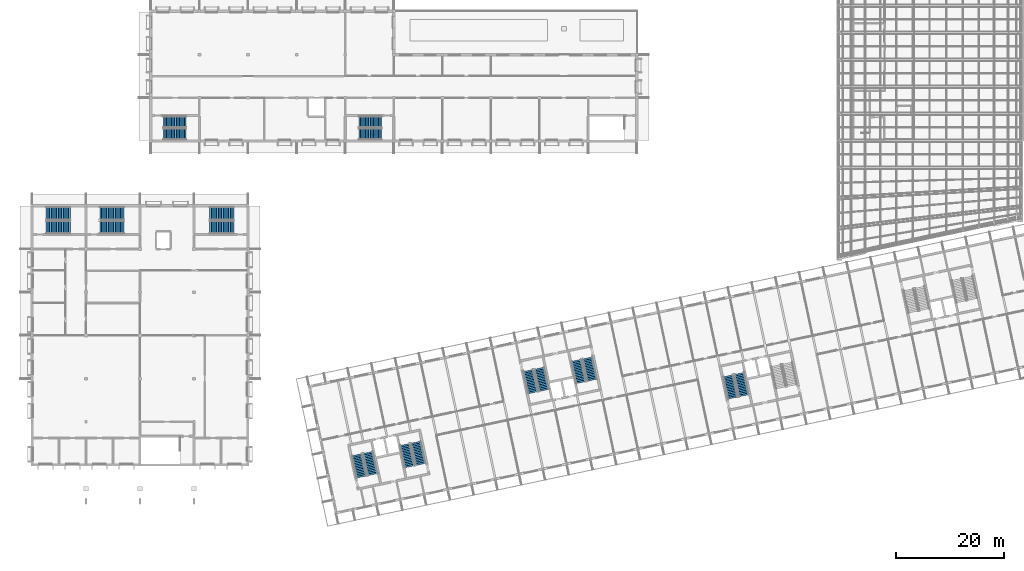
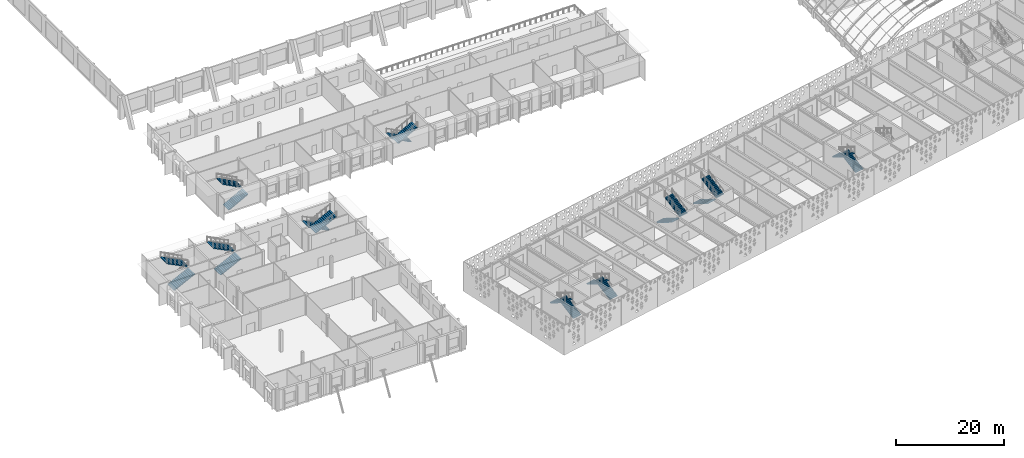
# One storey, part 150 of 182: 20 stair flights, 10 elements without a shape of their own.
"""IFC4 building model written with IfcOpenShell, lengths in metres."""

import ifcopenshell
import ifcopenshell.guid

model = None  # the IFC model being written
_history = None  # IfcOwnerHistory: only IFC2X3 demands one
_inside = {}  # id of a spatial element -> (the spatial element, [elements in it])
_under = {}  # id of a project, library or spatial element -> (it, [spatial elements below it])
_declared = {}  # id of a project -> (the project, [libraries it declares])
_typed = {}  # id of a type object -> (the type object, [elements of that type])
_made_of = {}  # id of a material, layer set ... -> (it, [elements and type objects made of it])


def new_model(schema):
    """Start an empty IFC model of exactly this schema.

    Asked for "IFC4X3", IfcOpenShell would pick the latest addendum, in which some entities
    have other attributes; the version numbers below select the first issue.
    IFC2X3 requires an IfcOwnerHistory on every rooted entity: one is made here for all.
    """
    global model, _history
    if schema == "IFC4X3":
        model = ifcopenshell.file(schema_version=(4, 3, 0, 0))
    else:
        model = ifcopenshell.file(schema=schema)
    _inside.clear()
    _under.clear()
    _declared.clear()
    _typed.clear()
    _made_of.clear()
    _history = None
    if model.schema == "IFC2X3":
        org = make("IfcOrganization", Name="unknown")
        user = make(
            "IfcPersonAndOrganization",
            ThePerson=make("IfcPerson", FamilyName="unknown"),
            TheOrganization=org,
        )
        app = make(
            "IfcApplication",
            ApplicationDeveloper=org,
            Version="unknown",
            ApplicationFullName="unknown",
            ApplicationIdentifier="unknown",
        )
        _history = make(
            "IfcOwnerHistory",
            OwningUser=user,
            OwningApplication=app,
            ChangeAction="ADDED",
            CreationDate=0,
        )
    return model


def make(cls, **values):
    """One entity of the class cls with the attributes given. An attribute that is None is left unset."""
    return model.create_entity(
        cls, **{name: value for name, value in values.items() if value is not None}
    )


def rooted(cls, **values):
    """An entity with a GlobalId (a new one), such as an element, a storey or a relation."""
    return make(cls, GlobalId=ifcopenshell.guid.new(), OwnerHistory=_history, **values)


def si_unit(unit_type, name, prefix=None):
    """IfcSIUnit, for example si_unit("LENGTHUNIT", "METRE", prefix="MILLI")."""
    return make("IfcSIUnit", UnitType=unit_type, Prefix=prefix, Name=name)


def assignment(units):
    """IfcUnitAssignment: the units of a project."""
    return None if units is None else make("IfcUnitAssignment", Units=units)


def point(xyz):
    """IfcCartesianPoint."""
    return None if xyz is None else make("IfcCartesianPoint", Coordinates=xyz)


def direction(xyz):
    """IfcDirection."""
    return None if xyz is None else make("IfcDirection", DirectionRatios=xyz)


def frame(location, z_axis=None, x_axis=None):
    """IfcAxis2Placement3D, a coordinate frame: its origin and axes. An axis left out is left unset."""
    return make(
        "IfcAxis2Placement3D",
        Location=point(location),
        Axis=direction(z_axis),
        RefDirection=direction(x_axis),
    )


def origin():
    """The frame at (0, 0, 0) with its axes left unset."""
    return frame((0.0, 0.0, 0.0))


def place(relative_to, where):
    """IfcLocalPlacement: puts the frame where relative to a parent placement (None: the world)."""
    return make(
        "IfcLocalPlacement", PlacementRelTo=relative_to, RelativePlacement=where
    )


def context(
    kind, dimensions, precision=None, world=None, true_north=None, identifier=None
):
    """IfcGeometricRepresentationContext, for example the 3D "Model" context."""
    return make(
        "IfcGeometricRepresentationContext",
        ContextIdentifier=identifier,
        ContextType=kind,
        CoordinateSpaceDimension=dimensions,
        Precision=precision,
        WorldCoordinateSystem=world,
        TrueNorth=true_north,
    )


def subcontext(parent, identifier, kind, view, scale=None):
    """IfcGeometricRepresentationSubContext, for example "Body" below "Model"."""
    return make(
        "IfcGeometricRepresentationSubContext",
        ContextIdentifier=identifier,
        ContextType=kind,
        ParentContext=parent,
        TargetScale=scale,
        TargetView=view,
    )


def project(units=None, contexts=None):
    """IfcProject with its units and contexts."""
    return rooted(
        "IfcProject",
        Name="project",
        RepresentationContexts=contexts,
        UnitsInContext=assignment(units),
    )


def spatial(cls, under=None, at=None, **own):
    """A site, building, storey or space (cls), placed at a placement, below another one or the project."""
    s = rooted(cls, ObjectPlacement=at, **own)
    if under is not None:
        _under.setdefault(under.id(), (under, []))[1].append(s)
    return s


def polyline(points):
    """IfcPolyline through the points."""
    return make("IfcPolyline", Points=[point(p) for p in points])


def outline(outer, holes=None, kind="AREA"):
    """IfcArbitraryClosedProfileDef: a profile drawn as a closed curve; with holes, ...WithVoids."""
    if holes is None:
        return make("IfcArbitraryClosedProfileDef", ProfileType=kind, OuterCurve=outer)
    return make(
        "IfcArbitraryProfileDefWithVoids",
        ProfileType=kind,
        OuterCurve=outer,
        InnerCurves=holes,
    )


def extrude(swept, where, along, depth):
    """IfcExtrudedAreaSolid: the profile swept, set in the frame where, extruded along a direction by depth."""
    return make(
        "IfcExtrudedAreaSolid",
        SweptArea=swept,
        Position=where,
        ExtrudedDirection=direction(along),
        Depth=depth,
    )


def shape(context_of_items, identifier, shape_type, items):
    """IfcShapeRepresentation: the items that make up one representation, for example the "Body"."""
    return make(
        "IfcShapeRepresentation",
        ContextOfItems=context_of_items,
        RepresentationIdentifier=identifier,
        RepresentationType=shape_type,
        Items=items,
    )


def material(Name=None, Category=None):
    """IfcMaterial."""
    return make("IfcMaterial", Name=Name, Category=Category)


def made_of(thing, what):
    """Note that an element or type object is made of a material, layer set ...; save() writes the relation."""
    if what is not None:
        _made_of.setdefault(what.id(), (what, []))[1].append(thing)
    return thing


def type_object(cls, material=None, **own):
    """A type object (cls), such as IfcWallType, which elements share."""
    return made_of(rooted(cls, **own), material)


def element(
    cls,
    number,
    at=None,
    inside=None,
    cuts=None,
    type_object=None,
    material=None,
    context=None,
    identifier="Body",
    shape_type=None,
    held_by="IfcProductDefinitionShape",
    body=None,
    shapes=None,
    **own,
):
    """One element of the class cls, such as IfcWall. Its Tag is "e" and its number.

    at: its placement. inside: the storey or other place that contains it. cuts: it is an
    opening in that element (IfcRelVoidsElement). A single representation is given by context,
    identifier, shape_type and body (its items); several are given by shapes. held_by: the class
    of the entity that holds the representations. save() writes the other relations.
    """
    e = rooted(cls, Tag="e%d" % number, ObjectPlacement=at, **own)
    if body is not None:
        shapes = [shape(context, identifier, shape_type, body)]
    if shapes is not None:
        e.Representation = make(held_by, Representations=shapes)
    if inside is not None:
        _inside.setdefault(inside.id(), (inside, []))[1].append(e)
    if cuts is not None:
        rooted(
            "IfcRelVoidsElement", RelatingBuildingElement=cuts, RelatedOpeningElement=e
        )
    if type_object is not None:
        _typed.setdefault(type_object.id(), (type_object, []))[1].append(e)
    return made_of(e, material)


def aggregate(whole, parts):
    """IfcRelAggregates: a whole, such as a stair, and the parts it consists of."""
    return rooted("IfcRelAggregates", RelatingObject=whole, RelatedObjects=parts)


def save(model, path):
    """Write the relations noted so far, then the file.

    IfcRelAggregates (storeys below a building ...), IfcRelContainedInSpatialStructure (elements
    in a storey), IfcRelDefinesByType, IfcRelAssociatesMaterial and IfcRelDeclares: one each for
    every whole, place, type object, material and project.
    """
    for whole, parts in _under.values():
        aggregate(whole, parts)
    for where, things in _inside.values():
        rooted(
            "IfcRelContainedInSpatialStructure",
            RelatedElements=things,
            RelatingStructure=where,
        )
    for kind, things in _typed.values():
        rooted("IfcRelDefinesByType", RelatedObjects=things, RelatingType=kind)
    for what, things in _made_of.values():
        rooted("IfcRelAssociatesMaterial", RelatedObjects=things, RelatingMaterial=what)
    for by, libraries in _declared.values():
        rooted("IfcRelDeclares", RelatingContext=by, RelatedDefinitions=libraries)
    model.write(path)


model = new_model("IFC4")

# Units and contexts
model_context = context("Model", 3, precision=1e-05, world=origin(), true_north=direction((0.0, 1.0)))
body_context = subcontext(model_context, "Body", "Model", "MODEL_VIEW")
ifc_project = project(units=[si_unit("LENGTHUNIT", "METRE"), si_unit("AREAUNIT", "SQUARE_METRE"), si_unit("VOLUMEUNIT", "CUBIC_METRE"), si_unit("PLANEANGLEUNIT", "RADIAN"), si_unit("MASSUNIT", "GRAM", prefix="KILO")], contexts=[model_context])

# Site, building, storey
site_placement = place(None, origin())
site = spatial("IfcSite", under=ifc_project, at=site_placement, CompositionType="ELEMENT")
building_placement = place(site_placement, origin())
building = spatial("IfcBuilding", under=site, at=building_placement, Name="Okhra Congress Centre", CompositionType="ELEMENT")
storey_placement = place(building_placement, frame((0.0, 0.0, 7.199951171875)))
storey = spatial("IfcBuildingStorey", under=building, at=storey_placement, Name="L01", CompositionType="ELEMENT", Elevation=7.199951171875)

# Stair, stair flights
ifc_material = material(Name="Concrete C30/37", Category="concrete")
stair_type_1 = type_object("IfcStairType", Name="Escape stair 1900 wide, 30 risers of 160.0", PredefinedType="HALF_TURN_STAIR", material=ifc_material)
stair_1_placement = place(storey_placement, origin())
stair_1 = element("IfcStair", 1, at=stair_1_placement, inside=storey, type_object=stair_type_1, Name="L01 Escape stair 1A", PredefinedType="HALF_TURN_STAIR")
stair_flight_type_1 = type_object("IfcStairFlightType", Name="Stair flight 1900 wide", PredefinedType="STRAIGHT", material=ifc_material)
stair_flight_1_placement = place(storey_placement, frame((69.095458984375, 34.227294921875, 0.0), z_axis=(0.0, 0.0, 1.0), x_axis=(-0.207911690818, 0.978147600734, 0.0)))
stair_flight_1 = element("IfcStairFlight", 2, at=stair_flight_1_placement, type_object=stair_flight_type_1, Name="BS1A flight 1", NumberOfRisers=15, NumberOfTreads=14, PredefinedType="STRAIGHT", RiserHeight=0.16, TreadLength=0.3, context=body_context, shape_type="SweptSolid", body=[
    extrude(outline(polyline([(0.0, 0.0), (0.0, 0.159912109375), (0.300048828125, 0.159912109375), (0.300048828125, 0.320068359375), (0.60009765625, 0.320068359375), (0.60009765625, 0.47998046875), (0.89990234375, 0.47998046875), (0.89990234375, 0.639892578125), (1.199951171875, 0.639892578125), (1.199951171875, 0.800048828125), (1.5, 0.800048828125), (1.5, 0.9599609375), (1.800048828125, 0.9599609375), (1.800048828125, 1.1201171875), (2.10009765625, 1.1201171875), (2.10009765625, 1.280029296875), (2.39990234375, 1.280029296875), (2.39990234375, 1.43994140625), (2.699951171875, 1.43994140625), (2.699951171875, 1.60009765625), (3.0, 1.60009765625), (3.0, 1.760009765625), (3.300048828125, 1.760009765625), (3.300048828125, 1.919921875), (3.60009765625, 1.919921875), (3.60009765625, 2.080078125), (3.89990234375, 2.080078125), (3.89990234375, 2.239990234375), (4.199951171875, 2.239990234375), (4.199951171875, 2.39990234375), (4.199951171875, 2.103759765625), (0.25537109375, 0.0), (0.0, 0.0)])), frame((0.0, 0.949951171875, 0.0), z_axis=(0.0, -1.0, 0.0), x_axis=(1.0, 0.0, 0.0)), (0.0, 0.0, 1.0), 1.89990234375),
])
stair_flight_2_placement = place(storey_placement, frame((66.16796875, 37.898681640625, 2.400146484375), z_axis=(0.0, 0.0, 1.0), x_axis=(0.207911690818, -0.978147600734, 0.0)))
stair_flight_2 = element("IfcStairFlight", 3, at=stair_flight_2_placement, type_object=stair_flight_type_1, Name="BS1A flight 2", NumberOfRisers=15, NumberOfTreads=14, PredefinedType="STRAIGHT", RiserHeight=0.16, TreadLength=0.3, context=body_context, shape_type="SweptSolid", body=[
    extrude(outline(polyline([(0.0, 0.0), (0.0, 0.159912109375), (0.300048828125, 0.159912109375), (0.300048828125, 0.320068359375), (0.60009765625, 0.320068359375), (0.60009765625, 0.47998046875), (0.89990234375, 0.47998046875), (0.89990234375, 0.639892578125), (1.199951171875, 0.639892578125), (1.199951171875, 0.800048828125), (1.5, 0.800048828125), (1.5, 0.9599609375), (1.800048828125, 0.9599609375), (1.800048828125, 1.1201171875), (2.10009765625, 1.1201171875), (2.10009765625, 1.280029296875), (2.39990234375, 1.280029296875), (2.39990234375, 1.43994140625), (2.699951171875, 1.43994140625), (2.699951171875, 1.60009765625), (3.0, 1.60009765625), (3.0, 1.760009765625), (3.300048828125, 1.760009765625), (3.300048828125, 1.919921875), (3.60009765625, 1.919921875), (3.60009765625, 2.080078125), (3.89990234375, 2.080078125), (3.89990234375, 2.239990234375), (4.199951171875, 2.239990234375), (4.199951171875, 2.39990234375), (4.199951171875, 2.103759765625), (0.25537109375, 0.0), (0.0, 0.0)])), frame((0.0, 0.949951171875, 0.0), z_axis=(0.0, -1.0, 0.0), x_axis=(1.0, 0.0, 0.0)), (0.0, 0.0, 1.0), 1.89990234375),
])
aggregate(stair_1, [stair_flight_1, stair_flight_2])

stair_2_placement = place(storey_placement, origin())
stair_2 = element("IfcStair", 4, at=stair_2_placement, inside=storey, type_object=stair_type_1, Name="L01 Escape stair 1B", PredefinedType="HALF_TURN_STAIR")
stair_flight_3_placement = place(storey_placement, frame((77.99658203125, 36.119140625, 0.0), z_axis=(0.0, 0.0, 1.0), x_axis=(-0.207911690818, 0.978147600734, 0.0)))
stair_flight_3 = element("IfcStairFlight", 5, at=stair_flight_3_placement, type_object=stair_flight_type_1, Name="BS1B flight 1", NumberOfRisers=15, NumberOfTreads=14, PredefinedType="STRAIGHT", RiserHeight=0.16, TreadLength=0.3, context=body_context, shape_type="SweptSolid", body=[
    extrude(outline(polyline([(0.0, 0.0), (0.0, 0.159912109375), (0.300048828125, 0.159912109375), (0.300048828125, 0.320068359375), (0.60009765625, 0.320068359375), (0.60009765625, 0.47998046875), (0.89990234375, 0.47998046875), (0.89990234375, 0.639892578125), (1.199951171875, 0.639892578125), (1.199951171875, 0.800048828125), (1.5, 0.800048828125), (1.5, 0.9599609375), (1.800048828125, 0.9599609375), (1.800048828125, 1.1201171875), (2.10009765625, 1.1201171875), (2.10009765625, 1.280029296875), (2.39990234375, 1.280029296875), (2.39990234375, 1.43994140625), (2.699951171875, 1.43994140625), (2.699951171875, 1.60009765625), (3.0, 1.60009765625), (3.0, 1.760009765625), (3.300048828125, 1.760009765625), (3.300048828125, 1.919921875), (3.60009765625, 1.919921875), (3.60009765625, 2.080078125), (3.89990234375, 2.080078125), (3.89990234375, 2.239990234375), (4.199951171875, 2.239990234375), (4.199951171875, 2.39990234375), (4.199951171875, 2.103759765625), (0.25537109375, 0.0), (0.0, 0.0)])), frame((0.0, 0.949951171875, 0.0), z_axis=(0.0, -1.0, 0.0), x_axis=(1.0, 0.0, 0.0)), (0.0, 0.0, 1.0), 1.89990234375),
])
stair_flight_4_placement = place(storey_placement, frame((75.069091796875, 39.790771484375, 2.400146484375), z_axis=(0.0, 0.0, 1.0), x_axis=(0.207911690818, -0.978147600734, 0.0)))
stair_flight_4 = element("IfcStairFlight", 6, at=stair_flight_4_placement, type_object=stair_flight_type_1, Name="BS1B flight 2", NumberOfRisers=15, NumberOfTreads=14, PredefinedType="STRAIGHT", RiserHeight=0.16, TreadLength=0.3, context=body_context, shape_type="SweptSolid", body=[
    extrude(outline(polyline([(0.0, 0.0), (0.0, 0.159912109375), (0.300048828125, 0.159912109375), (0.300048828125, 0.320068359375), (0.60009765625, 0.320068359375), (0.60009765625, 0.47998046875), (0.89990234375, 0.47998046875), (0.89990234375, 0.639892578125), (1.199951171875, 0.639892578125), (1.199951171875, 0.800048828125), (1.5, 0.800048828125), (1.5, 0.9599609375), (1.800048828125, 0.9599609375), (1.800048828125, 1.1201171875), (2.10009765625, 1.1201171875), (2.10009765625, 1.280029296875), (2.39990234375, 1.280029296875), (2.39990234375, 1.43994140625), (2.699951171875, 1.43994140625), (2.699951171875, 1.60009765625), (3.0, 1.60009765625), (3.0, 1.760009765625), (3.300048828125, 1.760009765625), (3.300048828125, 1.919921875), (3.60009765625, 1.919921875), (3.60009765625, 2.080078125), (3.89990234375, 2.080078125), (3.89990234375, 2.239990234375), (4.199951171875, 2.239990234375), (4.199951171875, 2.39990234375), (4.199951171875, 2.103759765625), (0.25537109375, 0.0), (0.0, 0.0)])), frame((0.0, 0.949951171875, 0.0), z_axis=(0.0, -1.0, 0.0), x_axis=(1.0, 0.0, 0.0)), (0.0, 0.0, 1.0), 1.89990234375),
])
aggregate(stair_2, [stair_flight_3, stair_flight_4])

stair_3_placement = place(storey_placement, origin())
stair_3 = element("IfcStair", 7, at=stair_3_placement, inside=storey, type_object=stair_type_1, Name="L01 Escape stair 2A", PredefinedType="HALF_TURN_STAIR")
stair_flight_5_placement = place(storey_placement, frame((97.920166015625, 53.4912109375, 0.0), z_axis=(0.0, 0.0, 1.0), x_axis=(0.207911690818, -0.978147600734, 0.0)))
stair_flight_5 = element("IfcStairFlight", 8, at=stair_flight_5_placement, type_object=stair_flight_type_1, Name="BS2A flight 1", NumberOfRisers=15, NumberOfTreads=14, PredefinedType="STRAIGHT", RiserHeight=0.16, TreadLength=0.3, context=body_context, shape_type="SweptSolid", body=[
    extrude(outline(polyline([(0.0, 0.0), (0.0, 0.159912109375), (0.300048828125, 0.159912109375), (0.300048828125, 0.320068359375), (0.60009765625, 0.320068359375), (0.60009765625, 0.47998046875), (0.89990234375, 0.47998046875), (0.89990234375, 0.639892578125), (1.199951171875, 0.639892578125), (1.199951171875, 0.800048828125), (1.5, 0.800048828125), (1.5, 0.9599609375), (1.800048828125, 0.9599609375), (1.800048828125, 1.1201171875), (2.10009765625, 1.1201171875), (2.10009765625, 1.280029296875), (2.39990234375, 1.280029296875), (2.39990234375, 1.43994140625), (2.699951171875, 1.43994140625), (2.699951171875, 1.60009765625), (3.0, 1.60009765625), (3.0, 1.760009765625), (3.300048828125, 1.760009765625), (3.300048828125, 1.919921875), (3.60009765625, 1.919921875), (3.60009765625, 2.080078125), (3.89990234375, 2.080078125), (3.89990234375, 2.239990234375), (4.199951171875, 2.239990234375), (4.199951171875, 2.39990234375), (4.199951171875, 2.103759765625), (0.25537109375, 0.0), (0.0, 0.0)])), frame((0.0, 0.949951171875, 0.0), z_axis=(0.0, -1.0, 0.0), x_axis=(1.0, 0.0, 0.0)), (0.0, 0.0, 1.0), 1.89990234375),
])
stair_flight_6_placement = place(storey_placement, frame((100.847412109375, 49.819580078125, 2.400146484375), z_axis=(0.0, 0.0, 1.0), x_axis=(-0.207911690818, 0.978147600734, 0.0)))
stair_flight_6 = element("IfcStairFlight", 9, at=stair_flight_6_placement, type_object=stair_flight_type_1, Name="BS2A flight 2", NumberOfRisers=15, NumberOfTreads=14, PredefinedType="STRAIGHT", RiserHeight=0.16, TreadLength=0.3, context=body_context, shape_type="SweptSolid", body=[
    extrude(outline(polyline([(0.0, 0.0), (0.0, 0.159912109375), (0.300048828125, 0.159912109375), (0.300048828125, 0.320068359375), (0.60009765625, 0.320068359375), (0.60009765625, 0.47998046875), (0.89990234375, 0.47998046875), (0.89990234375, 0.639892578125), (1.199951171875, 0.639892578125), (1.199951171875, 0.800048828125), (1.5, 0.800048828125), (1.5, 0.9599609375), (1.800048828125, 0.9599609375), (1.800048828125, 1.1201171875), (2.10009765625, 1.1201171875), (2.10009765625, 1.280029296875), (2.39990234375, 1.280029296875), (2.39990234375, 1.43994140625), (2.699951171875, 1.43994140625), (2.699951171875, 1.60009765625), (3.0, 1.60009765625), (3.0, 1.760009765625), (3.300048828125, 1.760009765625), (3.300048828125, 1.919921875), (3.60009765625, 1.919921875), (3.60009765625, 2.080078125), (3.89990234375, 2.080078125), (3.89990234375, 2.239990234375), (4.199951171875, 2.239990234375), (4.199951171875, 2.39990234375), (4.199951171875, 2.103759765625), (0.25537109375, 0.0), (0.0, 0.0)])), frame((0.0, 0.949951171875, 0.0), z_axis=(0.0, -1.0, 0.0), x_axis=(1.0, 0.0, 0.0)), (0.0, 0.0, 1.0), 1.89990234375),
])
aggregate(stair_3, [stair_flight_5, stair_flight_6])

stair_4_placement = place(storey_placement, origin())
stair_4 = element("IfcStair", 10, at=stair_4_placement, inside=storey, type_object=stair_type_1, Name="L01 Escape stair 2B", PredefinedType="HALF_TURN_STAIR")
stair_flight_7_placement = place(storey_placement, frame((106.8212890625, 55.383056640625, 0.0), z_axis=(0.0, 0.0, 1.0), x_axis=(0.207911690818, -0.978147600734, 0.0)))
stair_flight_7 = element("IfcStairFlight", 11, at=stair_flight_7_placement, type_object=stair_flight_type_1, Name="BS2B flight 1", NumberOfRisers=15, NumberOfTreads=14, PredefinedType="STRAIGHT", RiserHeight=0.16, TreadLength=0.3, context=body_context, shape_type="SweptSolid", body=[
    extrude(outline(polyline([(0.0, 0.0), (0.0, 0.159912109375), (0.300048828125, 0.159912109375), (0.300048828125, 0.320068359375), (0.60009765625, 0.320068359375), (0.60009765625, 0.47998046875), (0.89990234375, 0.47998046875), (0.89990234375, 0.639892578125), (1.199951171875, 0.639892578125), (1.199951171875, 0.800048828125), (1.5, 0.800048828125), (1.5, 0.9599609375), (1.800048828125, 0.9599609375), (1.800048828125, 1.1201171875), (2.10009765625, 1.1201171875), (2.10009765625, 1.280029296875), (2.39990234375, 1.280029296875), (2.39990234375, 1.43994140625), (2.699951171875, 1.43994140625), (2.699951171875, 1.60009765625), (3.0, 1.60009765625), (3.0, 1.760009765625), (3.300048828125, 1.760009765625), (3.300048828125, 1.919921875), (3.60009765625, 1.919921875), (3.60009765625, 2.080078125), (3.89990234375, 2.080078125), (3.89990234375, 2.239990234375), (4.199951171875, 2.239990234375), (4.199951171875, 2.39990234375), (4.199951171875, 2.103759765625), (0.25537109375, 0.0), (0.0, 0.0)])), frame((0.0, 0.949951171875, 0.0), z_axis=(0.0, -1.0, 0.0), x_axis=(1.0, 0.0, 0.0)), (0.0, 0.0, 1.0), 1.89990234375),
])
stair_flight_8_placement = place(storey_placement, frame((109.74853515625, 51.71142578125, 2.400146484375), z_axis=(0.0, 0.0, 1.0), x_axis=(-0.207911690818, 0.978147600734, 0.0)))
stair_flight_8 = element("IfcStairFlight", 12, at=stair_flight_8_placement, type_object=stair_flight_type_1, Name="BS2B flight 2", NumberOfRisers=15, NumberOfTreads=14, PredefinedType="STRAIGHT", RiserHeight=0.16, TreadLength=0.3, context=body_context, shape_type="SweptSolid", body=[
    extrude(outline(polyline([(0.0, 0.0), (0.0, 0.159912109375), (0.300048828125, 0.159912109375), (0.300048828125, 0.320068359375), (0.60009765625, 0.320068359375), (0.60009765625, 0.47998046875), (0.89990234375, 0.47998046875), (0.89990234375, 0.639892578125), (1.199951171875, 0.639892578125), (1.199951171875, 0.800048828125), (1.5, 0.800048828125), (1.5, 0.9599609375), (1.800048828125, 0.9599609375), (1.800048828125, 1.1201171875), (2.10009765625, 1.1201171875), (2.10009765625, 1.280029296875), (2.39990234375, 1.280029296875), (2.39990234375, 1.43994140625), (2.699951171875, 1.43994140625), (2.699951171875, 1.60009765625), (3.0, 1.60009765625), (3.0, 1.760009765625), (3.300048828125, 1.760009765625), (3.300048828125, 1.919921875), (3.60009765625, 1.919921875), (3.60009765625, 2.080078125), (3.89990234375, 2.080078125), (3.89990234375, 2.239990234375), (4.199951171875, 2.239990234375), (4.199951171875, 2.39990234375), (4.199951171875, 2.103759765625), (0.25537109375, 0.0), (0.0, 0.0)])), frame((0.0, 0.949951171875, 0.0), z_axis=(0.0, -1.0, 0.0), x_axis=(1.0, 0.0, 0.0)), (0.0, 0.0, 1.0), 1.89990234375),
])
aggregate(stair_4, [stair_flight_7, stair_flight_8])

stair_5_placement = place(storey_placement, origin())
stair_5 = element("IfcStair", 13, at=stair_5_placement, inside=storey, type_object=stair_type_1, Name="L01 Escape stair 3A", PredefinedType="HALF_TURN_STAIR")
stair_flight_9_placement = place(storey_placement, frame((137.859130859375, 48.84326171875, 0.0), z_axis=(0.0, 0.0, 1.0), x_axis=(-0.207911690818, 0.978147600734, 0.0)))
stair_flight_9 = element("IfcStairFlight", 14, at=stair_flight_9_placement, type_object=stair_flight_type_1, Name="BS3A flight 1", NumberOfRisers=15, NumberOfTreads=14, PredefinedType="STRAIGHT", RiserHeight=0.16, TreadLength=0.3, context=body_context, shape_type="SweptSolid", body=[
    extrude(outline(polyline([(0.0, 0.0), (0.0, 0.159912109375), (0.300048828125, 0.159912109375), (0.300048828125, 0.320068359375), (0.60009765625, 0.320068359375), (0.60009765625, 0.47998046875), (0.89990234375, 0.47998046875), (0.89990234375, 0.639892578125), (1.199951171875, 0.639892578125), (1.199951171875, 0.800048828125), (1.5, 0.800048828125), (1.5, 0.9599609375), (1.800048828125, 0.9599609375), (1.800048828125, 1.1201171875), (2.10009765625, 1.1201171875), (2.10009765625, 1.280029296875), (2.39990234375, 1.280029296875), (2.39990234375, 1.43994140625), (2.699951171875, 1.43994140625), (2.699951171875, 1.60009765625), (3.0, 1.60009765625), (3.0, 1.760009765625), (3.300048828125, 1.760009765625), (3.300048828125, 1.919921875), (3.60009765625, 1.919921875), (3.60009765625, 2.080078125), (3.89990234375, 2.080078125), (3.89990234375, 2.239990234375), (4.199951171875, 2.239990234375), (4.199951171875, 2.39990234375), (4.199951171875, 2.103759765625), (0.25537109375, 0.0), (0.0, 0.0)])), frame((0.0, 0.949951171875, 0.0), z_axis=(0.0, -1.0, 0.0), x_axis=(1.0, 0.0, 0.0)), (0.0, 0.0, 1.0), 1.89990234375),
])
stair_flight_10_placement = place(storey_placement, frame((134.931884765625, 52.514892578125, 2.400146484375), z_axis=(0.0, 0.0, 1.0), x_axis=(0.207911690818, -0.978147600734, 0.0)))
stair_flight_10 = element("IfcStairFlight", 15, at=stair_flight_10_placement, type_object=stair_flight_type_1, Name="BS3A flight 2", NumberOfRisers=15, NumberOfTreads=14, PredefinedType="STRAIGHT", RiserHeight=0.16, TreadLength=0.3, context=body_context, shape_type="SweptSolid", body=[
    extrude(outline(polyline([(0.0, 0.0), (0.0, 0.159912109375), (0.300048828125, 0.159912109375), (0.300048828125, 0.320068359375), (0.60009765625, 0.320068359375), (0.60009765625, 0.47998046875), (0.89990234375, 0.47998046875), (0.89990234375, 0.639892578125), (1.199951171875, 0.639892578125), (1.199951171875, 0.800048828125), (1.5, 0.800048828125), (1.5, 0.9599609375), (1.800048828125, 0.9599609375), (1.800048828125, 1.1201171875), (2.10009765625, 1.1201171875), (2.10009765625, 1.280029296875), (2.39990234375, 1.280029296875), (2.39990234375, 1.43994140625), (2.699951171875, 1.43994140625), (2.699951171875, 1.60009765625), (3.0, 1.60009765625), (3.0, 1.760009765625), (3.300048828125, 1.760009765625), (3.300048828125, 1.919921875), (3.60009765625, 1.919921875), (3.60009765625, 2.080078125), (3.89990234375, 2.080078125), (3.89990234375, 2.239990234375), (4.199951171875, 2.239990234375), (4.199951171875, 2.39990234375), (4.199951171875, 2.103759765625), (0.25537109375, 0.0), (0.0, 0.0)])), frame((0.0, 0.949951171875, 0.0), z_axis=(0.0, -1.0, 0.0), x_axis=(1.0, 0.0, 0.0)), (0.0, 0.0, 1.0), 1.89990234375),
])
aggregate(stair_5, [stair_flight_9, stair_flight_10])

stair_type_2 = type_object("IfcStairType", Name="Escape stair 2100 wide, 30 risers of 160.0", PredefinedType="HALF_TURN_STAIR", material=ifc_material)
stair_6_placement = place(storey_placement, origin())
stair_6 = element("IfcStair", 16, at=stair_6_placement, inside=storey, type_object=stair_type_2, Name="L01 Stair A", PredefinedType="HALF_TURN_STAIR")
stair_flight_type_2 = type_object("IfcStairFlightType", Name="Stair flight 2100 wide", PredefinedType="STRAIGHT", material=ifc_material)
stair_flight_11_placement = place(storey_placement, frame((30.324951171875, 97.27490234375, 0.0), z_axis=(0.0, 0.0, 1.0), x_axis=(1.0, 0.0, 0.0)))
stair_flight_11 = element("IfcStairFlight", 17, at=stair_flight_11_placement, type_object=stair_flight_type_2, Name="A flight 1", NumberOfRisers=15, NumberOfTreads=14, PredefinedType="STRAIGHT", RiserHeight=0.16, TreadLength=0.3, context=body_context, shape_type="SweptSolid", body=[
    extrude(outline(polyline([(0.0, 0.0), (0.0, 0.159912109375), (0.300048828125, 0.159912109375), (0.300048828125, 0.320068359375), (0.60009765625, 0.320068359375), (0.60009765625, 0.47998046875), (0.89990234375, 0.47998046875), (0.89990234375, 0.639892578125), (1.199951171875, 0.639892578125), (1.199951171875, 0.800048828125), (1.5, 0.800048828125), (1.5, 0.9599609375), (1.800048828125, 0.9599609375), (1.800048828125, 1.1201171875), (2.10009765625, 1.1201171875), (2.10009765625, 1.280029296875), (2.39990234375, 1.280029296875), (2.39990234375, 1.43994140625), (2.699951171875, 1.43994140625), (2.699951171875, 1.60009765625), (3.0, 1.60009765625), (3.0, 1.760009765625), (3.300048828125, 1.760009765625), (3.300048828125, 1.919921875), (3.60009765625, 1.919921875), (3.60009765625, 2.080078125), (3.89990234375, 2.080078125), (3.89990234375, 2.239990234375), (4.199951171875, 2.239990234375), (4.199951171875, 2.39990234375), (4.199951171875, 2.070068359375), (0.318603515625, 0.0), (0.0, 0.0)])), frame((0.0, 1.050048828125, 0.0), z_axis=(0.0, -1.0, 0.0), x_axis=(1.0, 0.0, 0.0)), (0.0, 0.0, 1.0), 2.10009765625),
])
stair_flight_12_placement = place(storey_placement, frame((34.52490234375, 99.52490234375, 2.400146484375), z_axis=(0.0, 0.0, 1.0), x_axis=(-1.0, 0.0, 0.0)))
stair_flight_12 = element("IfcStairFlight", 18, at=stair_flight_12_placement, type_object=stair_flight_type_2, Name="A flight 2", NumberOfRisers=15, NumberOfTreads=14, PredefinedType="STRAIGHT", RiserHeight=0.16, TreadLength=0.3, context=body_context, shape_type="SweptSolid", body=[
    extrude(outline(polyline([(0.0, 0.0), (0.0, 0.159912109375), (0.300048828125, 0.159912109375), (0.300048828125, 0.320068359375), (0.60009765625, 0.320068359375), (0.60009765625, 0.47998046875), (0.89990234375, 0.47998046875), (0.89990234375, 0.639892578125), (1.199951171875, 0.639892578125), (1.199951171875, 0.800048828125), (1.5, 0.800048828125), (1.5, 0.9599609375), (1.800048828125, 0.9599609375), (1.800048828125, 1.1201171875), (2.10009765625, 1.1201171875), (2.10009765625, 1.280029296875), (2.39990234375, 1.280029296875), (2.39990234375, 1.43994140625), (2.699951171875, 1.43994140625), (2.699951171875, 1.60009765625), (3.0, 1.60009765625), (3.0, 1.760009765625), (3.300048828125, 1.760009765625), (3.300048828125, 1.919921875), (3.60009765625, 1.919921875), (3.60009765625, 2.080078125), (3.89990234375, 2.080078125), (3.89990234375, 2.239990234375), (4.199951171875, 2.239990234375), (4.199951171875, 2.39990234375), (4.199951171875, 2.070068359375), (0.318603515625, 0.0), (0.0, 0.0)])), frame((0.0, 1.050048828125, 0.0), z_axis=(0.0, -1.0, 0.0), x_axis=(1.0, 0.0, 0.0)), (0.0, 0.0, 1.0), 2.10009765625),
])
aggregate(stair_6, [stair_flight_11, stair_flight_12])

stair_7_placement = place(storey_placement, origin())
stair_7 = element("IfcStair", 19, at=stair_7_placement, inside=storey, type_object=stair_type_2, Name="L01 Stair B", PredefinedType="HALF_TURN_STAIR")
stair_flight_13_placement = place(storey_placement, frame((70.75, 99.52490234375, 0.0), z_axis=(0.0, 0.0, 1.0), x_axis=(-1.0, 0.0, 0.0)))
stair_flight_13 = element("IfcStairFlight", 20, at=stair_flight_13_placement, type_object=stair_flight_type_2, Name="B flight 1", NumberOfRisers=15, NumberOfTreads=14, PredefinedType="STRAIGHT", RiserHeight=0.16, TreadLength=0.3, context=body_context, shape_type="SweptSolid", body=[
    extrude(outline(polyline([(0.0, 0.0), (0.0, 0.159912109375), (0.300048828125, 0.159912109375), (0.300048828125, 0.320068359375), (0.60009765625, 0.320068359375), (0.60009765625, 0.47998046875), (0.89990234375, 0.47998046875), (0.89990234375, 0.639892578125), (1.199951171875, 0.639892578125), (1.199951171875, 0.800048828125), (1.5, 0.800048828125), (1.5, 0.9599609375), (1.800048828125, 0.9599609375), (1.800048828125, 1.1201171875), (2.10009765625, 1.1201171875), (2.10009765625, 1.280029296875), (2.39990234375, 1.280029296875), (2.39990234375, 1.43994140625), (2.699951171875, 1.43994140625), (2.699951171875, 1.60009765625), (3.0, 1.60009765625), (3.0, 1.760009765625), (3.300048828125, 1.760009765625), (3.300048828125, 1.919921875), (3.60009765625, 1.919921875), (3.60009765625, 2.080078125), (3.89990234375, 2.080078125), (3.89990234375, 2.239990234375), (4.199951171875, 2.239990234375), (4.199951171875, 2.39990234375), (4.199951171875, 2.070068359375), (0.318603515625, 0.0), (0.0, 0.0)])), frame((0.0, 1.050048828125, 0.0), z_axis=(0.0, -1.0, 0.0), x_axis=(1.0, 0.0, 0.0)), (0.0, 0.0, 1.0), 2.10009765625),
])
stair_flight_14_placement = place(storey_placement, frame((66.550048828125, 97.27490234375, 2.400146484375), z_axis=(0.0, 0.0, 1.0), x_axis=(1.0, 0.0, 0.0)))
stair_flight_14 = element("IfcStairFlight", 21, at=stair_flight_14_placement, type_object=stair_flight_type_2, Name="B flight 2", NumberOfRisers=15, NumberOfTreads=14, PredefinedType="STRAIGHT", RiserHeight=0.16, TreadLength=0.3, context=body_context, shape_type="SweptSolid", body=[
    extrude(outline(polyline([(0.0, 0.0), (0.0, 0.159912109375), (0.300048828125, 0.159912109375), (0.300048828125, 0.320068359375), (0.60009765625, 0.320068359375), (0.60009765625, 0.47998046875), (0.89990234375, 0.47998046875), (0.89990234375, 0.639892578125), (1.199951171875, 0.639892578125), (1.199951171875, 0.800048828125), (1.5, 0.800048828125), (1.5, 0.9599609375), (1.800048828125, 0.9599609375), (1.800048828125, 1.1201171875), (2.10009765625, 1.1201171875), (2.10009765625, 1.280029296875), (2.39990234375, 1.280029296875), (2.39990234375, 1.43994140625), (2.699951171875, 1.43994140625), (2.699951171875, 1.60009765625), (3.0, 1.60009765625), (3.0, 1.760009765625), (3.300048828125, 1.760009765625), (3.300048828125, 1.919921875), (3.60009765625, 1.919921875), (3.60009765625, 2.080078125), (3.89990234375, 2.080078125), (3.89990234375, 2.239990234375), (4.199951171875, 2.239990234375), (4.199951171875, 2.39990234375), (4.199951171875, 2.070068359375), (0.318603515625, 0.0), (0.0, 0.0)])), frame((0.0, 1.050048828125, 0.0), z_axis=(0.0, -1.0, 0.0), x_axis=(1.0, 0.0, 0.0)), (0.0, 0.0, 1.0), 2.10009765625),
])
aggregate(stair_7, [stair_flight_13, stair_flight_14])

stair_type_3 = type_object("IfcStairType", Name="Escape stair 2400 wide, 30 risers of 160.0", PredefinedType="HALF_TURN_STAIR", material=ifc_material)
stair_8_placement = place(storey_placement, origin())
stair_8 = element("IfcStair", 22, at=stair_8_placement, inside=storey, type_object=stair_type_3, Name="L01 Stair R1", PredefinedType="HALF_TURN_STAIR")
stair_flight_type_3 = type_object("IfcStairFlightType", Name="Stair flight 2400 wide", PredefinedType="STRAIGHT", material=ifc_material)
stair_flight_15_placement = place(storey_placement, frame((8.625, 80.02490234375, 0.0), z_axis=(0.0, 0.0, 1.0), x_axis=(1.0, 0.0, 0.0)))
stair_flight_15 = element("IfcStairFlight", 23, at=stair_flight_15_placement, type_object=stair_flight_type_3, Name="R1 flight 1", NumberOfRisers=15, NumberOfTreads=14, PredefinedType="STRAIGHT", RiserHeight=0.16, TreadLength=0.32, context=body_context, shape_type="SweptSolid", body=[
    extrude(outline(polyline([(0.0, 0.0), (0.0, 0.159912109375), (0.320068359375, 0.159912109375), (0.320068359375, 0.320068359375), (0.639892578125, 0.320068359375), (0.639892578125, 0.47998046875), (0.9599609375, 0.47998046875), (0.9599609375, 0.639892578125), (1.280029296875, 0.639892578125), (1.280029296875, 0.800048828125), (1.60009765625, 0.800048828125), (1.60009765625, 0.9599609375), (1.919921875, 0.9599609375), (1.919921875, 1.1201171875), (2.239990234375, 1.1201171875), (2.239990234375, 1.280029296875), (2.56005859375, 1.280029296875), (2.56005859375, 1.43994140625), (2.8798828125, 1.43994140625), (2.8798828125, 1.60009765625), (3.199951171875, 1.60009765625), (3.199951171875, 1.760009765625), (3.52001953125, 1.760009765625), (3.52001953125, 1.919921875), (3.840087890625, 1.919921875), (3.840087890625, 2.080078125), (4.159912109375, 2.080078125), (4.159912109375, 2.239990234375), (4.47998046875, 2.239990234375), (4.47998046875, 2.39990234375), (4.47998046875, 2.072509765625), (0.335205078125, 0.0), (0.0, 0.0)])), frame((0.0, 1.199951171875, 0.0), z_axis=(0.0, -1.0, 0.0), x_axis=(1.0, 0.0, 0.0)), (0.0, 0.0, 1.0), 2.39990234375),
])
stair_flight_16_placement = place(storey_placement, frame((13.10498046875, 82.574951171875, 2.400146484375), z_axis=(0.0, 0.0, 1.0), x_axis=(-1.0, 0.0, 0.0)))
stair_flight_16 = element("IfcStairFlight", 24, at=stair_flight_16_placement, type_object=stair_flight_type_3, Name="R1 flight 2", NumberOfRisers=15, NumberOfTreads=14, PredefinedType="STRAIGHT", RiserHeight=0.16, TreadLength=0.32, context=body_context, shape_type="SweptSolid", body=[
    extrude(outline(polyline([(0.0, 0.0), (0.0, 0.159912109375), (0.320068359375, 0.159912109375), (0.320068359375, 0.320068359375), (0.639892578125, 0.320068359375), (0.639892578125, 0.47998046875), (0.9599609375, 0.47998046875), (0.9599609375, 0.639892578125), (1.280029296875, 0.639892578125), (1.280029296875, 0.800048828125), (1.60009765625, 0.800048828125), (1.60009765625, 0.9599609375), (1.919921875, 0.9599609375), (1.919921875, 1.1201171875), (2.239990234375, 1.1201171875), (2.239990234375, 1.280029296875), (2.56005859375, 1.280029296875), (2.56005859375, 1.43994140625), (2.8798828125, 1.43994140625), (2.8798828125, 1.60009765625), (3.199951171875, 1.60009765625), (3.199951171875, 1.760009765625), (3.52001953125, 1.760009765625), (3.52001953125, 1.919921875), (3.840087890625, 1.919921875), (3.840087890625, 2.080078125), (4.159912109375, 2.080078125), (4.159912109375, 2.239990234375), (4.47998046875, 2.239990234375), (4.47998046875, 2.39990234375), (4.47998046875, 2.072509765625), (0.335205078125, 0.0), (0.0, 0.0)])), frame((0.0, 1.199951171875, 0.0), z_axis=(0.0, -1.0, 0.0), x_axis=(1.0, 0.0, 0.0)), (0.0, 0.0, 1.0), 2.39990234375),
])
aggregate(stair_8, [stair_flight_15, stair_flight_16])

stair_9_placement = place(storey_placement, origin())
stair_9 = element("IfcStair", 25, at=stair_9_placement, inside=storey, type_object=stair_type_3, Name="L01 Stair R3", PredefinedType="HALF_TURN_STAIR")
stair_flight_17_placement = place(storey_placement, frame((18.550048828125, 80.02490234375, 0.0), z_axis=(0.0, 0.0, 1.0), x_axis=(1.0, 0.0, 0.0)))
stair_flight_17 = element("IfcStairFlight", 26, at=stair_flight_17_placement, type_object=stair_flight_type_3, Name="R3 flight 1", NumberOfRisers=15, NumberOfTreads=14, PredefinedType="STRAIGHT", RiserHeight=0.16, TreadLength=0.32, context=body_context, shape_type="SweptSolid", body=[
    extrude(outline(polyline([(0.0, 0.0), (0.0, 0.159912109375), (0.320068359375, 0.159912109375), (0.320068359375, 0.320068359375), (0.639892578125, 0.320068359375), (0.639892578125, 0.47998046875), (0.9599609375, 0.47998046875), (0.9599609375, 0.639892578125), (1.280029296875, 0.639892578125), (1.280029296875, 0.800048828125), (1.60009765625, 0.800048828125), (1.60009765625, 0.9599609375), (1.919921875, 0.9599609375), (1.919921875, 1.1201171875), (2.239990234375, 1.1201171875), (2.239990234375, 1.280029296875), (2.56005859375, 1.280029296875), (2.56005859375, 1.43994140625), (2.8798828125, 1.43994140625), (2.8798828125, 1.60009765625), (3.199951171875, 1.60009765625), (3.199951171875, 1.760009765625), (3.52001953125, 1.760009765625), (3.52001953125, 1.919921875), (3.840087890625, 1.919921875), (3.840087890625, 2.080078125), (4.159912109375, 2.080078125), (4.159912109375, 2.239990234375), (4.47998046875, 2.239990234375), (4.47998046875, 2.39990234375), (4.47998046875, 2.072509765625), (0.335205078125, 0.0), (0.0, 0.0)])), frame((0.0, 1.199951171875, 0.0), z_axis=(0.0, -1.0, 0.0), x_axis=(1.0, 0.0, 0.0)), (0.0, 0.0, 1.0), 2.39990234375),
])
stair_flight_18_placement = place(storey_placement, frame((23.030029296875, 82.574951171875, 2.400146484375), z_axis=(0.0, 0.0, 1.0), x_axis=(-1.0, 0.0, 0.0)))
stair_flight_18 = element("IfcStairFlight", 27, at=stair_flight_18_placement, type_object=stair_flight_type_3, Name="R3 flight 2", NumberOfRisers=15, NumberOfTreads=14, PredefinedType="STRAIGHT", RiserHeight=0.16, TreadLength=0.32, context=body_context, shape_type="SweptSolid", body=[
    extrude(outline(polyline([(0.0, 0.0), (0.0, 0.159912109375), (0.320068359375, 0.159912109375), (0.320068359375, 0.320068359375), (0.639892578125, 0.320068359375), (0.639892578125, 0.47998046875), (0.9599609375, 0.47998046875), (0.9599609375, 0.639892578125), (1.280029296875, 0.639892578125), (1.280029296875, 0.800048828125), (1.60009765625, 0.800048828125), (1.60009765625, 0.9599609375), (1.919921875, 0.9599609375), (1.919921875, 1.1201171875), (2.239990234375, 1.1201171875), (2.239990234375, 1.280029296875), (2.56005859375, 1.280029296875), (2.56005859375, 1.43994140625), (2.8798828125, 1.43994140625), (2.8798828125, 1.60009765625), (3.199951171875, 1.60009765625), (3.199951171875, 1.760009765625), (3.52001953125, 1.760009765625), (3.52001953125, 1.919921875), (3.840087890625, 1.919921875), (3.840087890625, 2.080078125), (4.159912109375, 2.080078125), (4.159912109375, 2.239990234375), (4.47998046875, 2.239990234375), (4.47998046875, 2.39990234375), (4.47998046875, 2.072509765625), (0.335205078125, 0.0), (0.0, 0.0)])), frame((0.0, 1.199951171875, 0.0), z_axis=(0.0, -1.0, 0.0), x_axis=(1.0, 0.0, 0.0)), (0.0, 0.0, 1.0), 2.39990234375),
])
aggregate(stair_9, [stair_flight_17, stair_flight_18])

stair_10_placement = place(storey_placement, origin())
stair_10 = element("IfcStair", 28, at=stair_10_placement, inside=storey, type_object=stair_type_3, Name="L01 Stair R2", PredefinedType="HALF_TURN_STAIR")
stair_flight_19_placement = place(storey_placement, frame((43.375, 82.574951171875, 0.0), z_axis=(0.0, 0.0, 1.0), x_axis=(-1.0, 0.0, 0.0)))
stair_flight_19 = element("IfcStairFlight", 29, at=stair_flight_19_placement, type_object=stair_flight_type_3, Name="R2 flight 1", NumberOfRisers=15, NumberOfTreads=14, PredefinedType="STRAIGHT", RiserHeight=0.16, TreadLength=0.32, context=body_context, shape_type="SweptSolid", body=[
    extrude(outline(polyline([(0.0, 0.0), (0.0, 0.159912109375), (0.320068359375, 0.159912109375), (0.320068359375, 0.320068359375), (0.639892578125, 0.320068359375), (0.639892578125, 0.47998046875), (0.9599609375, 0.47998046875), (0.9599609375, 0.639892578125), (1.280029296875, 0.639892578125), (1.280029296875, 0.800048828125), (1.60009765625, 0.800048828125), (1.60009765625, 0.9599609375), (1.919921875, 0.9599609375), (1.919921875, 1.1201171875), (2.239990234375, 1.1201171875), (2.239990234375, 1.280029296875), (2.56005859375, 1.280029296875), (2.56005859375, 1.43994140625), (2.8798828125, 1.43994140625), (2.8798828125, 1.60009765625), (3.199951171875, 1.60009765625), (3.199951171875, 1.760009765625), (3.52001953125, 1.760009765625), (3.52001953125, 1.919921875), (3.840087890625, 1.919921875), (3.840087890625, 2.080078125), (4.159912109375, 2.080078125), (4.159912109375, 2.239990234375), (4.47998046875, 2.239990234375), (4.47998046875, 2.39990234375), (4.47998046875, 2.072509765625), (0.335205078125, 0.0), (0.0, 0.0)])), frame((0.0, 1.199951171875, 0.0), z_axis=(0.0, -1.0, 0.0), x_axis=(1.0, 0.0, 0.0)), (0.0, 0.0, 1.0), 2.39990234375),
])
stair_flight_20_placement = place(storey_placement, frame((38.89501953125, 80.02490234375, 2.400146484375), z_axis=(0.0, 0.0, 1.0), x_axis=(1.0, 0.0, 0.0)))
stair_flight_20 = element("IfcStairFlight", 30, at=stair_flight_20_placement, type_object=stair_flight_type_3, Name="R2 flight 2", NumberOfRisers=15, NumberOfTreads=14, PredefinedType="STRAIGHT", RiserHeight=0.16, TreadLength=0.32, context=body_context, shape_type="SweptSolid", body=[
    extrude(outline(polyline([(0.0, 0.0), (0.0, 0.159912109375), (0.320068359375, 0.159912109375), (0.320068359375, 0.320068359375), (0.639892578125, 0.320068359375), (0.639892578125, 0.47998046875), (0.9599609375, 0.47998046875), (0.9599609375, 0.639892578125), (1.280029296875, 0.639892578125), (1.280029296875, 0.800048828125), (1.60009765625, 0.800048828125), (1.60009765625, 0.9599609375), (1.919921875, 0.9599609375), (1.919921875, 1.1201171875), (2.239990234375, 1.1201171875), (2.239990234375, 1.280029296875), (2.56005859375, 1.280029296875), (2.56005859375, 1.43994140625), (2.8798828125, 1.43994140625), (2.8798828125, 1.60009765625), (3.199951171875, 1.60009765625), (3.199951171875, 1.760009765625), (3.52001953125, 1.760009765625), (3.52001953125, 1.919921875), (3.840087890625, 1.919921875), (3.840087890625, 2.080078125), (4.159912109375, 2.080078125), (4.159912109375, 2.239990234375), (4.47998046875, 2.239990234375), (4.47998046875, 2.39990234375), (4.47998046875, 2.072509765625), (0.335205078125, 0.0), (0.0, 0.0)])), frame((0.0, 1.199951171875, 0.0), z_axis=(0.0, -1.0, 0.0), x_axis=(1.0, 0.0, 0.0)), (0.0, 0.0, 1.0), 2.39990234375),
])
aggregate(stair_10, [stair_flight_19, stair_flight_20])

save(model, "model.ifc")
